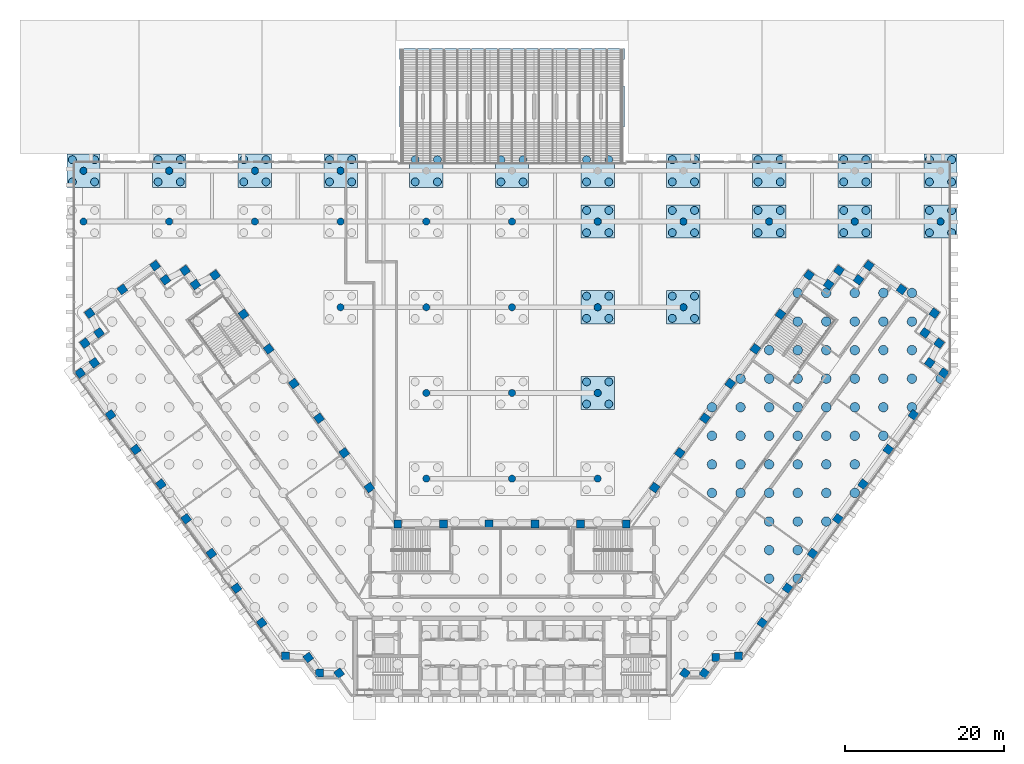
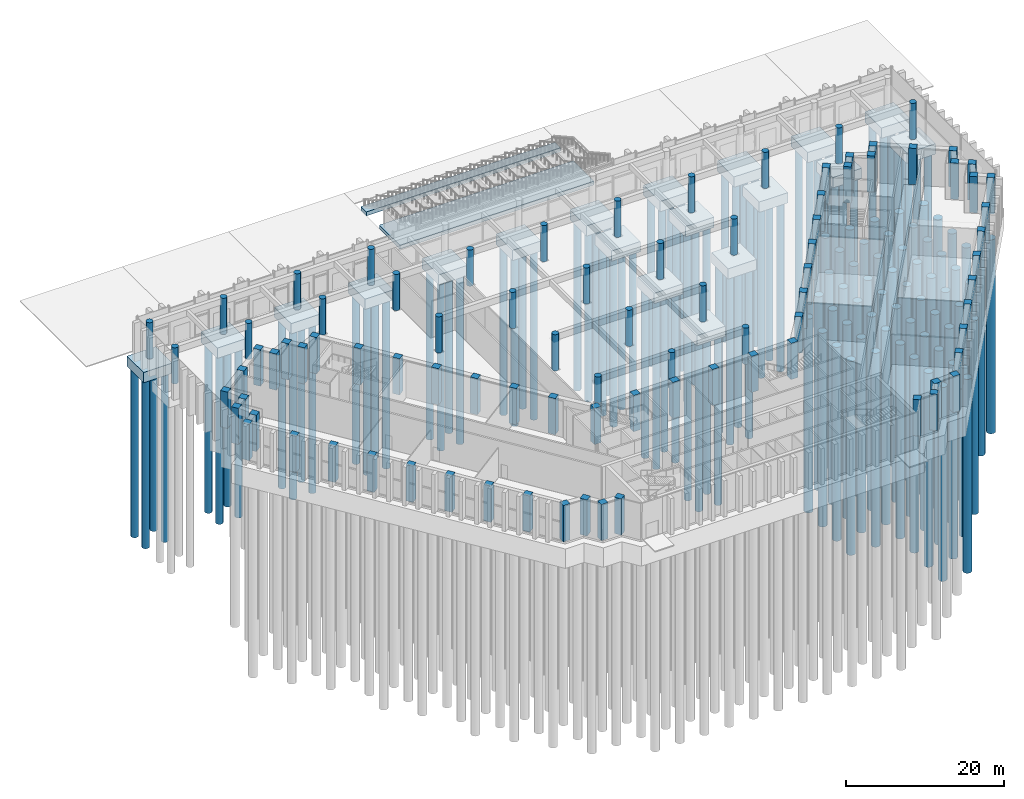
# One storey, part 2 of 32: 134 piles, 88 columns, 21 footings.
"""IFC4 building model written with IfcOpenShell, lengths in metres."""

from ifc_helpers import new_model, si_unit, direction, frame, origin, origin_2d, place, context, subcontext, project, spatial, polyline, rectangle, circle, outline, extrude, material, material_profile, profile_set, type_object, element, save


model = new_model("IFC4")

# Units and contexts
model_context = context("Model", 3, precision=1e-05, world=origin(), true_north=direction((0.0, 1.0)))
body_context = subcontext(model_context, "Body", "Model", "MODEL_VIEW")
ifc_project = project(units=[si_unit("LENGTHUNIT", "METRE"), si_unit("AREAUNIT", "SQUARE_METRE"), si_unit("VOLUMEUNIT", "CUBIC_METRE"), si_unit("PLANEANGLEUNIT", "RADIAN"), si_unit("MASSUNIT", "GRAM", prefix="KILO")], contexts=[model_context])

# Site, building, storey
site_placement = place(None, origin())
site = spatial("IfcSite", under=ifc_project, at=site_placement, CompositionType="ELEMENT")
building_placement = place(site_placement, origin())
building = spatial("IfcBuilding", under=site, at=building_placement, Name="Quipu Civic Tower", CompositionType="ELEMENT")
storey_placement = place(building_placement, origin())
storey = spatial("IfcBuildingStorey", under=building, at=storey_placement, Name="L00", CompositionType="ELEMENT", Elevation=0.0)

# Piles
ifc_material_1 = material(Name="Concrete C40/50", Category="concrete")
ifc_material_profile_1 = material_profile(ifc_material_1, circle(Radius=0.5, at=origin_2d()), Name="RCD1000")
ifc_profile_set_1 = profile_set([ifc_material_profile_1], Name="Concrete C40/50")
pile_type_1 = type_object("IfcPileType", Name="Bored pile D1000 C40/50", PredefinedType="BORED", material=ifc_profile_set_1)
for number, where, z_axis, x_axis, name in (
    (1, (9.39990234375, 25.60009765625, -2.0), (0.0, 0.0, -1.0), (1.0, 0.0, 0.0), "Bored pile H06-1"),
    (2, (12.199951171875, 25.60009765625, -2.0), (0.0, 0.0, -1.0), (1.0, 0.0, 0.0), "Bored pile H06-2"),
    (3, (9.39990234375, 28.39990234375, -2.0), (0.0, 0.0, -1.0), (1.0, 0.0, 0.0), "Bored pile H06-3"),
    (4, (12.199951171875, 28.39990234375, -2.0), (0.0, 0.0, -1.0), (1.0, 0.0, 0.0), "Bored pile H06-4"),
    (5, (9.39990234375, 36.39990234375, -2.0), (0.0, 0.0, -1.0), (1.0, 0.0, 0.0), "Bored pile H10-1"),
    (6, (12.199951171875, 36.39990234375, -2.0), (0.0, 0.0, -1.0), (1.0, 0.0, 0.0), "Bored pile H10-2"),
    (7, (9.39990234375, 39.199951171875, -2.0), (0.0, 0.0, -1.0), (1.0, 0.0, 0.0), "Bored pile H10-3"),
    (8, (12.199951171875, 39.199951171875, -2.0), (0.0, 0.0, -1.0), (1.0, 0.0, 0.0), "Bored pile H10-4"),
    (9, (20.199951171875, 36.39990234375, -2.0), (0.0, 0.0, -1.0), (1.0, 0.0, 0.0), "Bored pile H11-1"),
    (10, (23.0, 36.39990234375, -2.0), (0.0, 0.0, -1.0), (1.0, 0.0, 0.0), "Bored pile H11-2"),
    (11, (20.199951171875, 39.199951171875, -2.0), (0.0, 0.0, -1.0), (1.0, 0.0, 0.0), "Bored pile H11-3"),
    (12, (23.0, 39.199951171875, -2.0), (0.0, 0.0, -1.0), (1.0, 0.0, 0.0), "Bored pile H11-4"),
    (13, (9.39990234375, 47.199951171875, -2.0), (0.0, 0.0, -1.0), (1.0, 0.0, 0.0), "Bored pile H18-1"),
    (14, (12.199951171875, 47.199951171875, -2.0), (0.0, 0.0, -1.0), (1.0, 0.0, 0.0), "Bored pile H18-2"),
    (15, (9.39990234375, 50.0, -2.0), (0.0, 0.0, -1.0), (1.0, 0.0, 0.0), "Bored pile H18-3"),
    (16, (12.199951171875, 50.0, -2.0), (0.0, 0.0, -1.0), (1.0, 0.0, 0.0), "Bored pile H18-4"),
    (17, (20.199951171875, 47.199951171875, -2.0), (0.0, 0.0, -1.0), (1.0, 0.0, 0.0), "Bored pile H19-1"),
    (18, (23.0, 47.199951171875, -2.0), (0.0, 0.0, -1.0), (1.0, 0.0, 0.0), "Bored pile H19-2"),
    (19, (20.199951171875, 50.0, -2.0), (0.0, 0.0, -1.0), (1.0, 0.0, 0.0), "Bored pile H19-3"),
    (20, (23.0, 50.0, -2.0), (0.0, 0.0, -1.0), (1.0, 0.0, 0.0), "Bored pile H19-4"),
    (21, (31.0, 47.199951171875, -2.0), (0.0, 0.0, -1.0), (1.0, 0.0, 0.0), "Bored pile H20-1"),
    (22, (33.800048828125, 47.199951171875, -2.0), (0.0, 0.0, -1.0), (1.0, 0.0, 0.0), "Bored pile H20-2"),
    (23, (31.0, 50.0, -2.0), (0.0, 0.0, -1.0), (1.0, 0.0, 0.0), "Bored pile H20-3"),
    (24, (33.800048828125, 50.0, -2.0), (0.0, 0.0, -1.0), (1.0, 0.0, 0.0), "Bored pile H20-4"),
    (25, (41.800048828125, 47.199951171875, -2.0), (0.0, 0.0, -1.0), (1.0, 0.0, 0.0), "Bored pile H21-1"),
    (26, (44.60009765625, 47.199951171875, -2.0), (0.0, 0.0, -1.0), (1.0, 0.0, 0.0), "Bored pile H21-2"),
    (27, (41.800048828125, 50.0, -2.0), (0.0, 0.0, -1.0), (1.0, 0.0, 0.0), "Bored pile H21-3"),
    (28, (44.60009765625, 50.0, -2.0), (0.0, 0.0, -1.0), (1.0, 0.0, 0.0), "Bored pile H21-4"),
    (29, (52.60009765625, 47.199951171875, -2.0), (0.0, 0.0, -1.0), (1.0, 0.0, 0.0), "Bored pile H22-1"),
    (30, (55.39990234375, 47.199951171875, -2.0), (0.0, 0.0, -1.0), (1.0, 0.0, 0.0), "Bored pile H22-2"),
    (31, (52.60009765625, 50.0, -2.0), (0.0, 0.0, -1.0), (1.0, 0.0, 0.0), "Bored pile H22-3"),
    (32, (55.39990234375, 50.0, -2.0), (0.0, 0.0, -1.0), (1.0, 0.0, 0.0), "Bored pile H22-4"),
    (33, (-55.39990234375, 53.60009765625, -2.0), (0.0, 0.0, -1.0), (1.0, 0.0, 0.0), "Bored pile H23-1"),
    (34, (-52.60009765625, 53.60009765625, -2.0), (0.0, 0.0, -1.0), (1.0, 0.0, 0.0), "Bored pile H23-2"),
    (35, (-55.39990234375, 56.39990234375, -2.0), (0.0, 0.0, -1.0), (1.0, 0.0, 0.0), "Bored pile H23-3"),
    (36, (-52.60009765625, 56.39990234375, -2.0), (0.0, 0.0, -1.0), (1.0, 0.0, 0.0), "Bored pile H23-4"),
    (37, (-44.60009765625, 53.60009765625, -2.0), (0.0, 0.0, -1.0), (1.0, 0.0, 0.0), "Bored pile H24-1"),
    (38, (-41.800048828125, 53.60009765625, -2.0), (0.0, 0.0, -1.0), (1.0, 0.0, 0.0), "Bored pile H24-2"),
    (39, (-44.60009765625, 56.39990234375, -2.0), (0.0, 0.0, -1.0), (1.0, 0.0, 0.0), "Bored pile H24-3"),
    (40, (-41.800048828125, 56.39990234375, -2.0), (0.0, 0.0, -1.0), (1.0, 0.0, 0.0), "Bored pile H24-4"),
    (41, (-33.800048828125, 53.60009765625, -2.0), (0.0, 0.0, -1.0), (1.0, 0.0, 0.0), "Bored pile H25-1"),
    (42, (-31.0, 53.60009765625, -2.0), (0.0, 0.0, -1.0), (1.0, 0.0, 0.0), "Bored pile H25-2"),
    (43, (-33.800048828125, 56.39990234375, -2.0), (0.0, 0.0, -1.0), (1.0, 0.0, 0.0), "Bored pile H25-3"),
    (44, (-31.0, 56.39990234375, -2.0), (0.0, 0.0, -1.0), (1.0, 0.0, 0.0), "Bored pile H25-4"),
    (45, (-23.0, 53.60009765625, -2.0), (0.0, 0.0, -1.0), (1.0, 0.0, 0.0), "Bored pile H26-1"),
    (46, (-20.199951171875, 53.60009765625, -2.0), (0.0, 0.0, -1.0), (1.0, 0.0, 0.0), "Bored pile H26-2"),
    (47, (-23.0, 56.39990234375, -2.0), (0.0, 0.0, -1.0), (1.0, 0.0, 0.0), "Bored pile H26-3"),
    (48, (-20.199951171875, 56.39990234375, -2.0), (0.0, 0.0, -1.0), (1.0, 0.0, 0.0), "Bored pile H26-4"),
    (49, (-12.199951171875, 53.60009765625, -2.0), (0.0, 0.0, -1.0), (1.0, 0.0, 0.0), "Bored pile H27-1"),
    (50, (-9.39990234375, 53.60009765625, -2.0), (0.0, 0.0, -1.0), (1.0, 0.0, 0.0), "Bored pile H27-2"),
    (51, (-12.199951171875, 56.39990234375, -2.0), (0.0, 0.0, -1.0), (1.0, 0.0, 0.0), "Bored pile H27-3"),
    (52, (-9.39990234375, 56.39990234375, -2.0), (0.0, 0.0, -1.0), (1.0, 0.0, 0.0), "Bored pile H27-4"),
    (53, (-1.39990234375, 53.60009765625, -2.0), (0.0, 0.0, -1.0), (1.0, 0.0, 0.0), "Bored pile H28-1"),
    (54, (1.39990234375, 53.60009765625, -2.0), (0.0, 0.0, -1.0), (1.0, 0.0, 0.0), "Bored pile H28-2"),
    (55, (-1.39990234375, 56.39990234375, -2.0), (0.0, 0.0, -1.0), (1.0, 0.0, 0.0), "Bored pile H28-3"),
    (56, (1.39990234375, 56.39990234375, -2.0), (0.0, 0.0, -1.0), (1.0, 0.0, 0.0), "Bored pile H28-4"),
    (57, (9.39990234375, 53.60009765625, -2.0), (0.0, 0.0, -1.0), (1.0, 0.0, 0.0), "Bored pile H29-1"),
    (58, (12.199951171875, 53.60009765625, -2.0), (0.0, 0.0, -1.0), (1.0, 0.0, 0.0), "Bored pile H29-2"),
    (59, (9.39990234375, 56.39990234375, -2.0), (0.0, 0.0, -1.0), (1.0, 0.0, 0.0), "Bored pile H29-3"),
    (60, (12.199951171875, 56.39990234375, -2.0), (0.0, 0.0, -1.0), (1.0, 0.0, 0.0), "Bored pile H29-4"),
    (61, (20.199951171875, 53.60009765625, -2.0), (0.0, 0.0, -1.0), (1.0, 0.0, 0.0), "Bored pile H30-1"),
    (62, (23.0, 53.60009765625, -2.0), (0.0, 0.0, -1.0), (1.0, 0.0, 0.0), "Bored pile H30-2"),
    (63, (20.199951171875, 56.39990234375, -2.0), (0.0, 0.0, -1.0), (1.0, 0.0, 0.0), "Bored pile H30-3"),
    (64, (23.0, 56.39990234375, -2.0), (0.0, 0.0, -1.0), (1.0, 0.0, 0.0), "Bored pile H30-4"),
    (65, (31.0, 53.60009765625, -2.0), (0.0, 0.0, -1.0), (1.0, 0.0, 0.0), "Bored pile H31-1"),
    (66, (33.800048828125, 53.60009765625, -2.0), (0.0, 0.0, -1.0), (1.0, 0.0, 0.0), "Bored pile H31-2"),
    (67, (31.0, 56.39990234375, -2.0), (0.0, 0.0, -1.0), (1.0, 0.0, 0.0), "Bored pile H31-3"),
    (68, (33.800048828125, 56.39990234375, -2.0), (0.0, 0.0, -1.0), (1.0, 0.0, 0.0), "Bored pile H31-4"),
    (69, (41.800048828125, 53.60009765625, -2.0), (0.0, 0.0, -1.0), (1.0, 0.0, 0.0), "Bored pile H32-1"),
    (70, (44.60009765625, 53.60009765625, -2.0), (0.0, 0.0, -1.0), (1.0, 0.0, 0.0), "Bored pile H32-2"),
    (71, (41.800048828125, 56.39990234375, -2.0), (0.0, 0.0, -1.0), (1.0, 0.0, 0.0), "Bored pile H32-3"),
    (72, (44.60009765625, 56.39990234375, -2.0), (0.0, 0.0, -1.0), (1.0, 0.0, 0.0), "Bored pile H32-4"),
    (73, (52.60009765625, 53.60009765625, -2.0), (0.0, 0.0, -1.0), (1.0, 0.0, 0.0), "Bored pile H33-1"),
    (74, (55.39990234375, 53.60009765625, -2.0), (0.0, 0.0, -1.0), (1.0, 0.0, 0.0), "Bored pile H33-2"),
    (75, (52.60009765625, 56.39990234375, -2.0), (0.0, 0.0, -1.0), (1.0, 0.0, 0.0), "Bored pile H33-3"),
    (76, (55.39990234375, 56.39990234375, -2.0), (0.0, 0.0, -1.0), (1.0, 0.0, 0.0), "Bored pile H33-4"),
):
    element("IfcPile", number, at=place(storey_placement, frame(where, z_axis=z_axis, x_axis=x_axis)), inside=storey, type_object=pile_type_1, Name=name, PredefinedType="BORED", context=body_context, shape_type="SweptSolid", body=[
        extrude(circle(Radius=0.5, at=origin_2d()), origin(), (0.0, 0.0, 1.0), 26.0),
    ])
ifc_material_2 = material(Name="Concrete C40/50", Category="concrete")
ifc_material_profile_2 = material_profile(ifc_material_2, circle(Radius=0.60009765625, at=origin_2d()), Name="RCD1200")
ifc_profile_set_2 = profile_set([ifc_material_profile_2], Name="Concrete C40/50")
pile_type_2 = type_object("IfcPileType", Name="Bored pile D1200 C40/50", PredefinedType="BORED", material=ifc_profile_set_2)
for number, where, z_axis, x_axis, name in (
    (77, (25.199951171875, 14.39990234375, -3.39990234375), (0.0, 0.0, -1.0), (1.0, 0.0, 0.0), "Bored pile R1-172"),
    (78, (25.199951171875, 18.0, -3.39990234375), (0.0, 0.0, -1.0), (1.0, 0.0, 0.0), "Bored pile R1-173"),
    (79, (25.199951171875, 21.60009765625, -3.39990234375), (0.0, 0.0, -1.0), (1.0, 0.0, 0.0), "Bored pile R1-174"),
    (80, (25.199951171875, 25.199951171875, -3.39990234375), (0.0, 0.0, -1.0), (1.0, 0.0, 0.0), "Bored pile R1-175"),
    (81, (28.800048828125, 14.39990234375, -3.39990234375), (0.0, 0.0, -1.0), (1.0, 0.0, 0.0), "Bored pile R1-181"),
    (82, (28.800048828125, 18.0, -3.39990234375), (0.0, 0.0, -1.0), (1.0, 0.0, 0.0), "Bored pile R1-182"),
    (83, (28.800048828125, 21.60009765625, -3.39990234375), (0.0, 0.0, -1.0), (1.0, 0.0, 0.0), "Bored pile R1-183"),
    (84, (28.800048828125, 25.199951171875, -3.39990234375), (0.0, 0.0, -1.0), (1.0, 0.0, 0.0), "Bored pile R1-184"),
    (85, (28.800048828125, 28.800048828125, -3.39990234375), (0.0, 0.0, -1.0), (1.0, 0.0, 0.0), "Bored pile R1-185"),
    (86, (32.39990234375, 3.60009765625, -3.39990234375), (0.0, 0.0, -1.0), (1.0, 0.0, 0.0), "Bored pile R1-187"),
    (87, (32.39990234375, 7.199951171875, -3.39990234375), (0.0, 0.0, -1.0), (1.0, 0.0, 0.0), "Bored pile R1-188"),
    (88, (32.39990234375, 10.800048828125, -3.39990234375), (0.0, 0.0, -1.0), (1.0, 0.0, 0.0), "Bored pile R1-189"),
    (89, (32.39990234375, 14.39990234375, -3.39990234375), (0.0, 0.0, -1.0), (1.0, 0.0, 0.0), "Bored pile R1-190"),
    (90, (32.39990234375, 18.0, -3.39990234375), (0.0, 0.0, -1.0), (1.0, 0.0, 0.0), "Bored pile R1-191"),
    (91, (32.39990234375, 21.60009765625, -3.39990234375), (0.0, 0.0, -1.0), (1.0, 0.0, 0.0), "Bored pile R1-192"),
    (92, (32.39990234375, 25.199951171875, -3.39990234375), (0.0, 0.0, -1.0), (1.0, 0.0, 0.0), "Bored pile R1-193"),
    (93, (32.39990234375, 28.800048828125, -3.39990234375), (0.0, 0.0, -1.0), (1.0, 0.0, 0.0), "Bored pile R1-194"),
    (94, (32.39990234375, 32.39990234375, -3.39990234375), (0.0, 0.0, -1.0), (1.0, 0.0, 0.0), "Bored pile R1-195"),
    (95, (36.0, 3.60009765625, -3.39990234375), (0.0, 0.0, -1.0), (1.0, 0.0, 0.0), "Bored pile R1-196"),
    (96, (36.0, 7.199951171875, -3.39990234375), (0.0, 0.0, -1.0), (1.0, 0.0, 0.0), "Bored pile R1-197"),
    (97, (36.0, 10.800048828125, -3.39990234375), (0.0, 0.0, -1.0), (1.0, 0.0, 0.0), "Bored pile R1-198"),
    (98, (36.0, 14.39990234375, -3.39990234375), (0.0, 0.0, -1.0), (1.0, 0.0, 0.0), "Bored pile R1-199"),
    (99, (36.0, 18.0, -3.39990234375), (0.0, 0.0, -1.0), (1.0, 0.0, 0.0), "Bored pile R1-200"),
    (100, (36.0, 21.60009765625, -3.39990234375), (0.0, 0.0, -1.0), (1.0, 0.0, 0.0), "Bored pile R1-201"),
    (101, (36.0, 25.199951171875, -3.39990234375), (0.0, 0.0, -1.0), (1.0, 0.0, 0.0), "Bored pile R1-202"),
    (102, (36.0, 28.800048828125, -3.39990234375), (0.0, 0.0, -1.0), (1.0, 0.0, 0.0), "Bored pile R1-203"),
    (103, (36.0, 32.39990234375, -3.39990234375), (0.0, 0.0, -1.0), (1.0, 0.0, 0.0), "Bored pile R1-204"),
    (104, (36.0, 36.0, -3.39990234375), (0.0, 0.0, -1.0), (1.0, 0.0, 0.0), "Bored pile R1-205"),
    (105, (36.0, 39.60009765625, -3.39990234375), (0.0, 0.0, -1.0), (1.0, 0.0, 0.0), "Bored pile R1-206"),
    (106, (39.60009765625, 10.800048828125, -3.39990234375), (0.0, 0.0, -1.0), (1.0, 0.0, 0.0), "Bored pile R1-207"),
    (107, (39.60009765625, 14.39990234375, -3.39990234375), (0.0, 0.0, -1.0), (1.0, 0.0, 0.0), "Bored pile R1-208"),
    (108, (39.60009765625, 18.0, -3.39990234375), (0.0, 0.0, -1.0), (1.0, 0.0, 0.0), "Bored pile R1-209"),
    (109, (39.60009765625, 21.60009765625, -3.39990234375), (0.0, 0.0, -1.0), (1.0, 0.0, 0.0), "Bored pile R1-210"),
    (110, (39.60009765625, 25.199951171875, -3.39990234375), (0.0, 0.0, -1.0), (1.0, 0.0, 0.0), "Bored pile R1-211"),
    (111, (39.60009765625, 28.800048828125, -3.39990234375), (0.0, 0.0, -1.0), (1.0, 0.0, 0.0), "Bored pile R1-212"),
    (112, (39.60009765625, 32.39990234375, -3.39990234375), (0.0, 0.0, -1.0), (1.0, 0.0, 0.0), "Bored pile R1-213"),
    (113, (39.60009765625, 36.0, -3.39990234375), (0.0, 0.0, -1.0), (1.0, 0.0, 0.0), "Bored pile R1-214"),
    (114, (39.60009765625, 39.60009765625, -3.39990234375), (0.0, 0.0, -1.0), (1.0, 0.0, 0.0), "Bored pile R1-215"),
    (115, (43.199951171875, 14.39990234375, -3.39990234375), (0.0, 0.0, -1.0), (1.0, 0.0, 0.0), "Bored pile R1-216"),
    (116, (43.199951171875, 18.0, -3.39990234375), (0.0, 0.0, -1.0), (1.0, 0.0, 0.0), "Bored pile R1-217"),
    (117, (43.199951171875, 21.60009765625, -3.39990234375), (0.0, 0.0, -1.0), (1.0, 0.0, 0.0), "Bored pile R1-218"),
    (118, (43.199951171875, 25.199951171875, -3.39990234375), (0.0, 0.0, -1.0), (1.0, 0.0, 0.0), "Bored pile R1-219"),
    (119, (43.199951171875, 28.800048828125, -3.39990234375), (0.0, 0.0, -1.0), (1.0, 0.0, 0.0), "Bored pile R1-220"),
    (120, (43.199951171875, 32.39990234375, -3.39990234375), (0.0, 0.0, -1.0), (1.0, 0.0, 0.0), "Bored pile R1-221"),
    (121, (43.199951171875, 36.0, -3.39990234375), (0.0, 0.0, -1.0), (1.0, 0.0, 0.0), "Bored pile R1-222"),
    (122, (43.199951171875, 39.60009765625, -3.39990234375), (0.0, 0.0, -1.0), (1.0, 0.0, 0.0), "Bored pile R1-223"),
    (123, (46.800048828125, 21.60009765625, -3.39990234375), (0.0, 0.0, -1.0), (1.0, 0.0, 0.0), "Bored pile R1-224"),
    (124, (46.800048828125, 25.199951171875, -3.39990234375), (0.0, 0.0, -1.0), (1.0, 0.0, 0.0), "Bored pile R1-225"),
    (125, (46.800048828125, 28.800048828125, -3.39990234375), (0.0, 0.0, -1.0), (1.0, 0.0, 0.0), "Bored pile R1-226"),
    (126, (46.800048828125, 32.39990234375, -3.39990234375), (0.0, 0.0, -1.0), (1.0, 0.0, 0.0), "Bored pile R1-227"),
    (127, (46.800048828125, 36.0, -3.39990234375), (0.0, 0.0, -1.0), (1.0, 0.0, 0.0), "Bored pile R1-228"),
    (128, (46.800048828125, 39.60009765625, -3.39990234375), (0.0, 0.0, -1.0), (1.0, 0.0, 0.0), "Bored pile R1-229"),
    (129, (50.39990234375, 25.199951171875, -3.39990234375), (0.0, 0.0, -1.0), (1.0, 0.0, 0.0), "Bored pile R1-230"),
    (130, (50.39990234375, 28.800048828125, -3.39990234375), (0.0, 0.0, -1.0), (1.0, 0.0, 0.0), "Bored pile R1-231"),
    (131, (50.39990234375, 32.39990234375, -3.39990234375), (0.0, 0.0, -1.0), (1.0, 0.0, 0.0), "Bored pile R1-232"),
    (132, (50.39990234375, 36.0, -3.39990234375), (0.0, 0.0, -1.0), (1.0, 0.0, 0.0), "Bored pile R1-233"),
    (133, (50.39990234375, 39.60009765625, -3.39990234375), (0.0, 0.0, -1.0), (1.0, 0.0, 0.0), "Bored pile R1-234"),
    (134, (54.0, 28.800048828125, -3.39990234375), (0.0, 0.0, -1.0), (1.0, 0.0, 0.0), "Bored pile R1-235"),
):
    element("IfcPile", number, at=place(storey_placement, frame(where, z_axis=z_axis, x_axis=x_axis)), inside=storey, type_object=pile_type_2, Name=name, PredefinedType="BORED", context=body_context, shape_type="SweptSolid", body=[
        extrude(circle(Radius=0.60009765625, at=origin_2d()), origin(), (0.0, 0.0, 1.0), 30.0),
    ])

# Footings
ifc_material_3 = material(Name="Concrete C50/60", Category="concrete")
footing_type_1 = type_object("IfcFootingType", Name="Pile cap 4200x4200 C50/60", PredefinedType="PILE_CAP", material=ifc_material_3)
for number, where, z_axis, x_axis, name in (
    (135, (10.800048828125, 27.0, -2.0), (0.0, 0.0, 1.0), (1.0, 0.0, 0.0), "Pile cap H06"),
    (136, (10.800048828125, 37.800048828125, -2.0), (0.0, 0.0, 1.0), (1.0, 0.0, 0.0), "Pile cap H10"),
    (137, (21.60009765625, 37.800048828125, -2.0), (0.0, 0.0, 1.0), (1.0, 0.0, 0.0), "Pile cap H11"),
    (138, (10.800048828125, 48.60009765625, -2.0), (0.0, 0.0, 1.0), (1.0, 0.0, 0.0), "Pile cap H18"),
    (139, (21.60009765625, 48.60009765625, -2.0), (0.0, 0.0, 1.0), (1.0, 0.0, 0.0), "Pile cap H19"),
    (140, (32.39990234375, 48.60009765625, -2.0), (0.0, 0.0, 1.0), (1.0, 0.0, 0.0), "Pile cap H20"),
    (141, (43.199951171875, 48.60009765625, -2.0), (0.0, 0.0, 1.0), (1.0, 0.0, 0.0), "Pile cap H21"),
    (142, (54.0, 48.60009765625, -2.0), (0.0, 0.0, 1.0), (1.0, 0.0, 0.0), "Pile cap H22"),
    (143, (-54.0, 55.0, -2.0), (0.0, 0.0, 1.0), (1.0, 0.0, 0.0), "Pile cap H23"),
    (144, (-43.199951171875, 55.0, -2.0), (0.0, 0.0, 1.0), (1.0, 0.0, 0.0), "Pile cap H24"),
    (145, (-32.39990234375, 55.0, -2.0), (0.0, 0.0, 1.0), (1.0, 0.0, 0.0), "Pile cap H25"),
    (146, (-21.60009765625, 55.0, -2.0), (0.0, 0.0, 1.0), (1.0, 0.0, 0.0), "Pile cap H26"),
    (147, (-10.800048828125, 55.0, -2.0), (0.0, 0.0, 1.0), (1.0, 0.0, 0.0), "Pile cap H27"),
    (148, (0.0, 55.0, -2.0), (0.0, 0.0, 1.0), (1.0, 0.0, 0.0), "Pile cap H28"),
    (149, (10.800048828125, 55.0, -2.0), (0.0, 0.0, 1.0), (1.0, 0.0, 0.0), "Pile cap H29"),
    (150, (21.60009765625, 55.0, -2.0), (0.0, 0.0, 1.0), (1.0, 0.0, 0.0), "Pile cap H30"),
    (151, (32.39990234375, 55.0, -2.0), (0.0, 0.0, 1.0), (1.0, 0.0, 0.0), "Pile cap H31"),
    (152, (43.199951171875, 55.0, -2.0), (0.0, 0.0, 1.0), (1.0, 0.0, 0.0), "Pile cap H32"),
    (153, (54.0, 55.0, -2.0), (0.0, 0.0, 1.0), (1.0, 0.0, 0.0), "Pile cap H33"),
):
    element("IfcFooting", number, at=place(storey_placement, frame(where, z_axis=z_axis, x_axis=x_axis)), inside=storey, type_object=footing_type_1, Name=name, PredefinedType="PILE_CAP", context=body_context, shape_type="SweptSolid", body=[
        extrude(rectangle(XDim=4.199951171875, YDim=4.199951171875, at=origin_2d()), origin(), (0.0, 0.0, 1.0), 1.60009765625),
    ])
ifc_material_4 = material(Name="Concrete C30/37", Category="concrete")
footing_type_2 = type_object("IfcFootingType", Name="Stair raft footing", PredefinedType="PAD_FOOTING", material=ifc_material_4)
footing_1_placement = place(storey_placement, frame((0.0, 0.0, -0.60009765625)))
element("IfcFooting", 154, at=footing_1_placement, inside=storey, type_object=footing_type_2, Name="Stair raft footing", PredefinedType="PAD_FOOTING", context=body_context, shape_type="SweptSolid", body=[
    extrude(outline(polyline([(-14.199951171875, 60.5), (14.199951171875, 60.5), (14.199951171875, 65.699951171875), (-14.199951171875, 65.699951171875), (-14.199951171875, 60.5)])), origin(), (0.0, 0.0, 1.0), 0.60009765625),
])
ifc_material_5 = material(Name="Concrete C30/37", Category="concrete")
footing_type_3 = type_object("IfcFootingType", Name="Stair strip footing 1400", PredefinedType="STRIP_FOOTING", material=ifc_material_5)
footing_2_placement = place(storey_placement, frame((0.0, 0.0, -0.60009765625)))
element("IfcFooting", 155, at=footing_2_placement, inside=storey, type_object=footing_type_3, Name="Stair strip footing", PredefinedType="STRIP_FOOTING", context=body_context, shape_type="SweptSolid", body=[
    extrude(outline(polyline([(-14.199951171875, 69.0), (14.199951171875, 69.0), (14.199951171875, 70.39990234375), (-14.199951171875, 70.39990234375), (-14.199951171875, 69.0)])), origin(), (0.0, 0.0, 1.0), 0.60009765625),
])

# Columns
ifc_material_6 = material(Name="Concrete C50/60", Category="concrete")
ifc_material_profile_3 = material_profile(ifc_material_6, circle(Radius=0.449951171875, at=origin_2d()), Name="RCD900")
ifc_profile_set_3 = profile_set([ifc_material_profile_3], Name="Concrete C50/60")
column_type_1 = type_object("IfcColumnType", Name="Hall column RC D900 C50/60", PredefinedType="COLUMN", material=ifc_profile_set_3)
for number, where, z_axis, x_axis, name in (
    (156, (-10.800048828125, 16.199951171875, 0.0), (0.0, 0.0, 1.0), (1.0, 0.0, 0.0), "Hall column L00 01"),
    (157, (0.0, 16.199951171875, 0.0), (0.0, 0.0, 1.0), (1.0, 0.0, 0.0), "Hall column L00 02"),
    (158, (10.800048828125, 16.199951171875, 0.0), (0.0, 0.0, 1.0), (1.0, 0.0, 0.0), "Hall column L00 03"),
    (159, (-10.800048828125, 27.0, 0.0), (0.0, 0.0, 1.0), (1.0, 0.0, 0.0), "Hall column L00 04"),
    (160, (0.0, 27.0, 0.0), (0.0, 0.0, 1.0), (1.0, 0.0, 0.0), "Hall column L00 05"),
    (161, (10.800048828125, 27.0, 0.0), (0.0, 0.0, 1.0), (1.0, 0.0, 0.0), "Hall column L00 06"),
    (162, (-21.60009765625, 37.800048828125, 0.0), (0.0, 0.0, 1.0), (1.0, 0.0, 0.0), "Hall column L00 07"),
    (163, (-10.800048828125, 37.800048828125, 0.0), (0.0, 0.0, 1.0), (1.0, 0.0, 0.0), "Hall column L00 08"),
    (164, (0.0, 37.800048828125, 0.0), (0.0, 0.0, 1.0), (1.0, 0.0, 0.0), "Hall column L00 09"),
    (165, (10.800048828125, 37.800048828125, 0.0), (0.0, 0.0, 1.0), (1.0, 0.0, 0.0), "Hall column L00 10"),
    (166, (21.60009765625, 37.800048828125, 0.0), (0.0, 0.0, 1.0), (1.0, 0.0, 0.0), "Hall column L00 11"),
    (167, (-54.0, 48.60009765625, 0.0), (0.0, 0.0, 1.0), (1.0, 0.0, 0.0), "Hall column L00 12"),
    (168, (-43.199951171875, 48.60009765625, 0.0), (0.0, 0.0, 1.0), (1.0, 0.0, 0.0), "Hall column L00 13"),
    (169, (-32.39990234375, 48.60009765625, 0.0), (0.0, 0.0, 1.0), (1.0, 0.0, 0.0), "Hall column L00 14"),
    (170, (-21.60009765625, 48.60009765625, 0.0), (0.0, 0.0, 1.0), (1.0, 0.0, 0.0), "Hall column L00 15"),
    (171, (-10.800048828125, 48.60009765625, 0.0), (0.0, 0.0, 1.0), (1.0, 0.0, 0.0), "Hall column L00 16"),
    (172, (0.0, 48.60009765625, 0.0), (0.0, 0.0, 1.0), (1.0, 0.0, 0.0), "Hall column L00 17"),
    (173, (10.800048828125, 48.60009765625, 0.0), (0.0, 0.0, 1.0), (1.0, 0.0, 0.0), "Hall column L00 18"),
    (174, (21.60009765625, 48.60009765625, 0.0), (0.0, 0.0, 1.0), (1.0, 0.0, 0.0), "Hall column L00 19"),
    (175, (32.39990234375, 48.60009765625, 0.0), (0.0, 0.0, 1.0), (1.0, 0.0, 0.0), "Hall column L00 20"),
    (176, (43.199951171875, 48.60009765625, 0.0), (0.0, 0.0, 1.0), (1.0, 0.0, 0.0), "Hall column L00 21"),
    (177, (54.0, 48.60009765625, 0.0), (0.0, 0.0, 1.0), (1.0, 0.0, 0.0), "Hall column L00 22"),
    (178, (-54.0, 55.0, 0.0), (0.0, 0.0, 1.0), (1.0, 0.0, 0.0), "Hall column L00 23"),
    (179, (-43.199951171875, 55.0, 0.0), (0.0, 0.0, 1.0), (1.0, 0.0, 0.0), "Hall column L00 24"),
    (180, (-32.39990234375, 55.0, 0.0), (0.0, 0.0, 1.0), (1.0, 0.0, 0.0), "Hall column L00 25"),
    (181, (-21.60009765625, 55.0, 0.0), (0.0, 0.0, 1.0), (1.0, 0.0, 0.0), "Hall column L00 26"),
):
    element("IfcColumn", number, at=place(storey_placement, frame(where, z_axis=z_axis, x_axis=x_axis)), inside=storey, type_object=column_type_1, Name=name, PredefinedType="COLUMN", context=body_context, shape_type="SweptSolid", body=[
        extrude(circle(Radius=0.449951171875, at=origin_2d()), origin(), (0.0, 0.0, 1.0), 5.60009765625),
    ])
ifc_material_7 = material(Name="Concrete C80/95", Category="concrete")
ifc_material_profile_4 = material_profile(ifc_material_7, rectangle(XDim=1.0, YDim=1.0, at=origin_2d()), Name="RC1000x1000")
ifc_profile_set_4 = profile_set([ifc_material_profile_4], Name="Concrete C80/95")
column_type_2 = type_object("IfcColumnType", Name="Perimeter column RC 1000x1000 C80/95", PredefinedType="COLUMN", material=ifc_profile_set_4)
for number, where, z_axis, x_axis, name in (
    (182, (-17.9736328125, 15.074951171875, 0.0), (0.0, 0.0, 1.0), (-0.587785252292, 0.809016994375, 0.0), "Column L00 W-IN-01"),
    (183, (-21.1474609375, 19.44384765625, 0.0), (0.0, 0.0, 1.0), (-0.587785252292, 0.809016994375, 0.0), "Column L00 W-IN-02"),
    (184, (-24.3212890625, 23.8125, 0.0), (0.0, 0.0, 1.0), (-0.587785252292, 0.809016994375, 0.0), "Column L00 W-IN-03"),
    (185, (-27.4951171875, 28.181396484375, 0.0), (0.0, 0.0, 1.0), (-0.587785252292, 0.809016994375, 0.0), "Column L00 W-IN-04"),
    (186, (-30.6689453125, 32.55029296875, 0.0), (0.0, 0.0, 1.0), (-0.587785252292, 0.809016994375, 0.0), "Column L00 W-IN-05"),
    (187, (-33.843017578125, 36.919189453125, 0.0), (0.0, 0.0, 1.0), (-0.587785252292, 0.809016994375, 0.0), "Column L00 W-IN-06"),
    (188, (-37.425048828125, 41.85009765625, 0.0), (0.0, 0.0, 1.0), (-0.587785252292, 0.809016994375, 0.0), "Column L00 T-Wi.0-W50"),
    (189, (-39.905517578125, 40.666015625, 0.0), (0.0, 0.0, 1.0), (-0.587785252292, 0.809016994375, 0.0), "Column L00 T-Wi.1-W50"),
    (190, (-41.199951171875, 42.445068359375, 0.0), (0.0, 0.0, 1.0), (-0.587785252292, 0.809016994375, 0.0), "Column L00 T-Wi.2-W50"),
    (191, (-43.674560546875, 41.264892578125, 0.0), (0.0, 0.0, 1.0), (-0.809016994375, -0.587785252292, 0.0), "Column L00 T-Wi.3-W50"),
    (192, (-44.969970703125, 43.044921875, 0.0), (0.0, 0.0, 1.0), (-0.809016994375, -0.587785252292, 0.0), "Column L00 T-Wi.4-W50"),
    (193, (-49.095703125, 40.046875, 0.0), (0.0, 0.0, 1.0), (-0.809016994375, -0.587785252292, 0.0), "Column L00 TIP-W-01-W50"),
    (194, (-53.219970703125, 37.050048828125, 0.0), (0.0, 0.0, 1.0), (0.587785252292, -0.809016994375, 0.0), "Column L00 T-Wo.0-W50"),
    (195, (-52.038818359375, 34.571044921875, 0.0), (0.0, 0.0, 1.0), (-0.809016994375, -0.587785252292, 0.0), "Column L00 T-Wo.1-W50"),
    (196, (-53.820068359375, 33.27490234375, 0.0), (0.0, 0.0, 1.0), (0.587785252292, -0.809016994375, 0.0), "Column L00 T-Wo.2-W50"),
    (197, (-52.635986328125, 30.799560546875, 0.0), (0.0, 0.0, 1.0), (-0.809016994375, -0.587785252292, 0.0), "Column L00 T-Wo.3-W50"),
    (198, (-54.4150390625, 29.5048828125, 0.0), (0.0, 0.0, 1.0), (0.587785252292, -0.809016994375, 0.0), "Column L00 T-Wo.4-W50"),
    (199, (-50.59228515625, 24.243408203125, 0.0), (0.0, 0.0, 1.0), (0.587785252292, -0.809016994375, 0.0), "Column L00 W-OUT-07"),
    (200, (-47.41845703125, 19.874755859375, 0.0), (0.0, 0.0, 1.0), (0.587785252292, -0.809016994375, 0.0), "Column L00 W-OUT-06"),
    (201, (-44.244384765625, 15.506103515625, 0.0), (0.0, 0.0, 1.0), (0.587785252292, -0.809016994375, 0.0), "Column L00 W-OUT-05"),
    (202, (-41.0703125, 11.137451171875, 0.0), (0.0, 0.0, 1.0), (0.587785252292, -0.809016994375, 0.0), "Column L00 W-OUT-04"),
    (203, (-37.896240234375, 6.768798828125, 0.0), (0.0, 0.0, 1.0), (0.587785252292, -0.809016994375, 0.0), "Column L00 W-OUT-03"),
    (204, (-34.722412109375, 2.39990234375, 0.0), (0.0, 0.0, 1.0), (0.587785252292, -0.809016994375, 0.0), "Column L00 W-OUT-02"),
    (205, (-31.54833984375, -1.96875, 0.0), (0.0, 0.0, 1.0), (0.587785252292, -0.809016994375, 0.0), "Column L00 W-OUT-01"),
    (206, (-28.52490234375, -6.1298828125, 0.0), (0.0, 0.0, 1.0), (1.0, 0.0, 0.0), "Column L00 J-Wo.0"),
    (207, (-25.67431640625, -6.3369140625, 0.0), (0.0, 0.0, 1.0), (0.587785252292, -0.809016994375, 0.0), "Column L00 J-Wo.1"),
    (208, (-24.235107421875, -8.31494140625, 0.0), (0.0, 0.0, 1.0), (1.0, 0.0, 0.0), "Column L00 J-Wo.2"),
    (209, (-21.791748046875, -8.31494140625, 0.0), (0.0, 0.0, 1.0), (0.587785252292, -0.809016994375, 0.0), "Column L00 J-Wo.3"),
    (210, (21.791748046875, -8.31494140625, 0.0), (0.0, 0.0, 1.0), (0.587785252292, 0.809016994375, 0.0), "Column L00 J-Eo.1"),
    (211, (24.235107421875, -8.31494140625, 0.0), (0.0, 0.0, 1.0), (0.587785252292, 0.809016994375, 0.0), "Column L00 J-Eo.2"),
    (212, (25.67431640625, -6.3369140625, 0.0), (0.0, 0.0, 1.0), (1.0, 0.0, 0.0), "Column L00 J-Eo.3"),
    (213, (28.52490234375, -6.1298828125, 0.0), (0.0, 0.0, 1.0), (1.0, 0.0, 0.0), "Column L00 J-Eo.4"),
    (214, (31.54833984375, -1.96875, 0.0), (0.0, 0.0, 1.0), (0.587785252292, 0.809016994375, 0.0), "Column L00 E-OUT-01"),
    (215, (34.722412109375, 2.39990234375, 0.0), (0.0, 0.0, 1.0), (0.587785252292, 0.809016994375, 0.0), "Column L00 E-OUT-02"),
    (216, (37.896240234375, 6.768798828125, 0.0), (0.0, 0.0, 1.0), (0.587785252292, 0.809016994375, 0.0), "Column L00 E-OUT-03"),
    (217, (41.0703125, 11.137451171875, 0.0), (0.0, 0.0, 1.0), (0.587785252292, 0.809016994375, 0.0), "Column L00 E-OUT-04"),
    (218, (44.244384765625, 15.506103515625, 0.0), (0.0, 0.0, 1.0), (0.587785252292, 0.809016994375, 0.0), "Column L00 E-OUT-05"),
    (219, (47.41845703125, 19.874755859375, 0.0), (0.0, 0.0, 1.0), (0.587785252292, 0.809016994375, 0.0), "Column L00 E-OUT-06"),
    (220, (50.59228515625, 24.243408203125, 0.0), (0.0, 0.0, 1.0), (0.587785252292, 0.809016994375, 0.0), "Column L00 E-OUT-07"),
    (221, (54.4150390625, 29.5048828125, 0.0), (0.0, 0.0, 1.0), (0.587785252292, 0.809016994375, 0.0), "Column L00 T-Eo.0-E50"),
    (222, (52.635986328125, 30.799560546875, 0.0), (0.0, 0.0, 1.0), (-0.809016994375, 0.587785252292, 0.0), "Column L00 T-Eo.1-E50"),
    (223, (53.820068359375, 33.27490234375, 0.0), (0.0, 0.0, 1.0), (-0.809016994375, 0.587785252292, 0.0), "Column L00 T-Eo.2-E50"),
    (224, (52.038818359375, 34.571044921875, 0.0), (0.0, 0.0, 1.0), (0.587785252292, 0.809016994375, 0.0), "Column L00 T-Eo.3-E50"),
    (225, (53.219970703125, 37.050048828125, 0.0), (0.0, 0.0, 1.0), (-0.809016994375, 0.587785252292, 0.0), "Column L00 T-Eo.4-E50"),
    (226, (49.095703125, 40.046875, 0.0), (0.0, 0.0, 1.0), (-0.809016994375, 0.587785252292, 0.0), "Column L00 TIP-E-01-E50"),
    (227, (44.969970703125, 43.044921875, 0.0), (0.0, 0.0, 1.0), (-0.809016994375, 0.587785252292, 0.0), "Column L00 T-Ei.0-E50"),
    (228, (43.674560546875, 41.264892578125, 0.0), (0.0, 0.0, 1.0), (-0.809016994375, 0.587785252292, 0.0), "Column L00 T-Ei.1-E50"),
    (229, (41.199951171875, 42.445068359375, 0.0), (0.0, 0.0, 1.0), (-0.587785252292, -0.809016994375, 0.0), "Column L00 T-Ei.2-E50"),
    (230, (39.905517578125, 40.666015625, 0.0), (0.0, 0.0, 1.0), (-0.587785252292, -0.809016994375, 0.0), "Column L00 T-Ei.3-E50"),
    (231, (37.425048828125, 41.85009765625, 0.0), (0.0, 0.0, 1.0), (-0.587785252292, -0.809016994375, 0.0), "Column L00 T-Ei.4-E50"),
    (232, (33.843017578125, 36.919189453125, 0.0), (0.0, 0.0, 1.0), (-0.587785252292, -0.809016994375, 0.0), "Column L00 E-IN-06"),
    (233, (30.6689453125, 32.55029296875, 0.0), (0.0, 0.0, 1.0), (-0.587785252292, -0.809016994375, 0.0), "Column L00 E-IN-05"),
    (234, (27.4951171875, 28.181396484375, 0.0), (0.0, 0.0, 1.0), (-0.587785252292, -0.809016994375, 0.0), "Column L00 E-IN-04"),
    (235, (24.3212890625, 23.8125, 0.0), (0.0, 0.0, 1.0), (-0.587785252292, -0.809016994375, 0.0), "Column L00 E-IN-03"),
    (236, (21.1474609375, 19.44384765625, 0.0), (0.0, 0.0, 1.0), (-0.587785252292, -0.809016994375, 0.0), "Column L00 E-IN-02"),
    (237, (17.9736328125, 15.074951171875, 0.0), (0.0, 0.0, 1.0), (-0.587785252292, -0.809016994375, 0.0), "Column L00 E-IN-01"),
    (238, (14.395263671875, 10.5, 0.0), (0.0, 0.0, 1.0), (-1.0, 0.0, 0.0), "Column L00 J-Ei.0"),
    (239, (8.63720703125, 10.5, 0.0), (0.0, 0.0, 1.0), (-1.0, 0.0, 0.0), "Column L00 FRONT-01"),
    (240, (2.87890625, 10.5, 0.0), (0.0, 0.0, 1.0), (-1.0, 0.0, 0.0), "Column L00 FRONT-02"),
    (241, (-2.87890625, 10.5, 0.0), (0.0, 0.0, 1.0), (-1.0, 0.0, 0.0), "Column L00 FRONT-03"),
    (242, (-8.63720703125, 10.5, 0.0), (0.0, 0.0, 1.0), (-1.0, 0.0, 0.0), "Column L00 FRONT-04"),
    (243, (-14.395263671875, 10.5, 0.0), (0.0, 0.0, 1.0), (-1.0, 0.0, 0.0), "Column L00 J-Wi.0"),
):
    element("IfcColumn", number, at=place(storey_placement, frame(where, z_axis=z_axis, x_axis=x_axis)), inside=storey, type_object=column_type_2, Name=name, PredefinedType="COLUMN", context=body_context, shape_type="SweptSolid", body=[
        extrude(rectangle(XDim=1.0, YDim=1.0, at=origin_2d()), origin(), (0.0, 0.0, 1.0), 5.60009765625),
    ])

save(model, "model.ifc")
